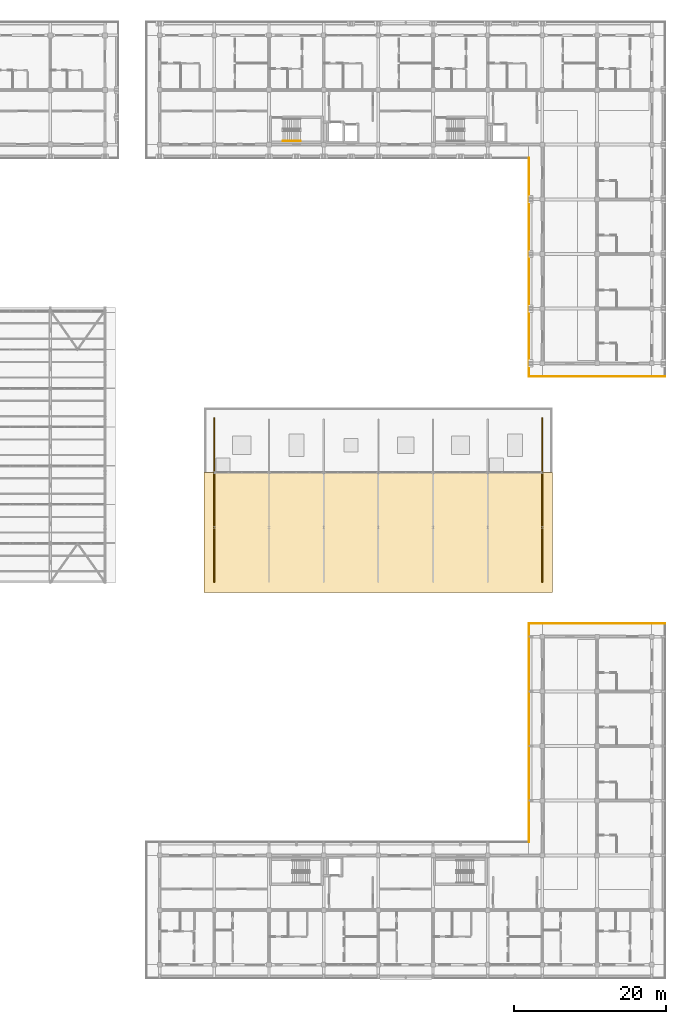
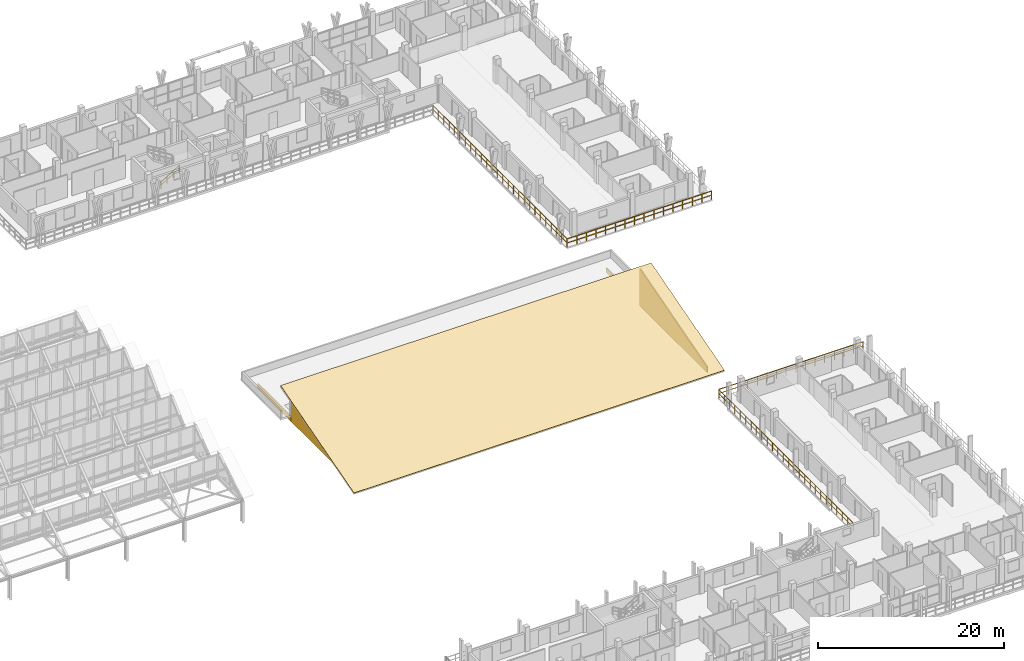
# One storey, part 154 of 157: 5 coverings, 5 railings.
"""IFC4 building model written with IfcOpenShell, lengths in metres."""

from ifc_helpers import new_model, si_unit, direction, frame, frame_2d, origin, origin_2d, place, context, subcontext, project, spatial, polyline, rectangle, outline, extrude, material, layer, layer_set, type_object, element, save


model = new_model("IFC4")

# Units and contexts
model_context = context("Model", 3, precision=1e-05, world=origin(), true_north=direction((0.0, 1.0)))
body_context = subcontext(model_context, "Body", "Model", "MODEL_VIEW")
ifc_project = project(units=[si_unit("LENGTHUNIT", "METRE"), si_unit("AREAUNIT", "SQUARE_METRE"), si_unit("VOLUMEUNIT", "CUBIC_METRE"), si_unit("PLANEANGLEUNIT", "RADIAN"), si_unit("MASSUNIT", "GRAM", prefix="KILO")], contexts=[model_context])

# Site, building, storey
site_placement = place(None, origin())
site = spatial("IfcSite", under=ifc_project, at=site_placement, CompositionType="ELEMENT")
building_placement = place(site_placement, origin())
building = spatial("IfcBuilding", under=site, at=building_placement, Name="Suanplinth Sawtooth Commons", CompositionType="ELEMENT")
storey_placement = place(building_placement, frame((0.0, 0.0, 9.0)))
storey = spatial("IfcBuildingStorey", under=building, at=storey_placement, Name="L02", CompositionType="ELEMENT", Elevation=9.0)

# Coverings
ifc_material_1 = material(Name="Insulated zinc-aluminium architectural wall panel", Category="aluminium")
ifc_layer_1 = layer(ifc_material_1, 0.139892578125, Name="Insulated architectural gable tympanum cladding 140mm")
ifc_layer_set_1 = layer_set([ifc_layer_1], Name="Insulated zinc-aluminium architectural wall panel")
covering_type_1 = type_object("IfcCoveringType", Name="CV-CL02", PredefinedType="CLADDING", material=ifc_layer_set_1)
covering_1_placement = place(storey_placement, frame((129.60009765625, 50.39990234375, -0.60009765625), z_axis=(0.0, 0.0, 1.0), x_axis=(0.0, 1.0, 0.0)))
element("IfcCovering", 1, at=covering_1_placement, inside=storey, type_object=covering_type_1, Name="Nursery W Mono-Pitch Gable Tympanum Cladding", PredefinedType="CLADDING", context=body_context, shape_type="SweptSolid", body=[
    extrude(outline(polyline([(0.0, 0.0), (14.400146484375, 0.0), (14.39990234375, 4.91015625), (0.0, 0.780029296875), (0.0, 0.0)])), frame((0.0, 0.06982421875, 0.0), z_axis=(0.0, -1.0, 0.0), x_axis=(1.0, 0.0, 0.0)), (0.0, 0.0, 1.0), 0.139892578125),
])
covering_2_placement = place(storey_placement, frame((129.60009765625, 64.800048828125, -0.60009765625), z_axis=(0.0, 0.0, 1.0), x_axis=(0.0, 1.0, 0.0)))
element("IfcCovering", 2, at=covering_2_placement, inside=storey, type_object=covering_type_1, Name="Nursery W Skylight Deck Fascia Cladding", PredefinedType="CLADDING", context=body_context, shape_type="SweptSolid", body=[
    extrude(rectangle(XDim=7.199951171875, YDim=0.139892578125, at=frame_2d((3.60009765625, 0.0))), origin(), (0.0, 0.0, 1.0), 0.6201171875),
])
covering_3_placement = place(storey_placement, frame((172.800048828125, 50.39990234375, -0.60009765625), z_axis=(0.0, 0.0, 1.0), x_axis=(0.0, 1.0, 0.0)))
element("IfcCovering", 3, at=covering_3_placement, inside=storey, type_object=covering_type_1, Name="Nursery E Mono-Pitch Gable Tympanum Cladding", PredefinedType="CLADDING", context=body_context, shape_type="SweptSolid", body=[
    extrude(outline(polyline([(0.0, 0.0), (14.400146484375, 0.0), (14.39990234375, 4.91015625), (0.0, 0.780029296875), (0.0, 0.0)])), frame((0.0, 0.06982421875, 0.0), z_axis=(0.0, -1.0, 0.0), x_axis=(1.0, 0.0, 0.0)), (0.0, 0.0, 1.0), 0.139892578125),
])
covering_4_placement = place(storey_placement, frame((172.800048828125, 64.800048828125, -0.60009765625), z_axis=(0.0, 0.0, 1.0), x_axis=(0.0, 1.0, 0.0)))
element("IfcCovering", 4, at=covering_4_placement, inside=storey, type_object=covering_type_1, Name="Nursery E Skylight Deck Fascia Cladding", PredefinedType="CLADDING", context=body_context, shape_type="SweptSolid", body=[
    extrude(rectangle(XDim=7.199951171875, YDim=0.139892578125, at=frame_2d((3.60009765625, 0.0))), origin(), (0.0, 0.0, 1.0), 0.6201171875),
])
ifc_material_2 = material(Name="Standing-seam zinc-aluminium alloy sheet", Category="aluminium")
ifc_layer_2 = layer(ifc_material_2, 0.06494140625, Name="Standing-seam zinc-aluminium roof cladding 65mm")
ifc_layer_set_2 = layer_set([ifc_layer_2], Name="Standing-seam zinc-aluminium alloy sheet")
covering_type_2 = type_object("IfcCoveringType", Name="CV-RF01", PredefinedType="ROOFING", material=ifc_layer_set_2)
covering_5_placement = place(storey_placement, frame((128.25, 49.050048828125, 0.034912109375), z_axis=(0.0, -0.275850493819, 0.961200554026), x_axis=(1.0, 0.0, 0.0)))
element("IfcCovering", 5, at=covering_5_placement, inside=storey, type_object=covering_type_2, Name="Nursery Standing-Seam Roof Cladding", PredefinedType="ROOFING", context=body_context, shape_type="SweptSolid", body=[
    extrude(outline(polyline([(0.0, 0.0), (45.89990234375, 0.0), (45.89990234375, 16.38575834567572), (0.0, 16.38575834567572), (0.0, 0.0)])), origin(), (0.0, 0.0, -1.0), 0.06494140625),
])

# Railings
ifc_material_3 = material(Name="Powder-coated galvanized steel", Category="steel")
railing_type_1 = type_object("IfcRailingType", Name="GR-01", PredefinedType="BALUSTRADE", material=ifc_material_3)
railing_1_placement = place(storey_placement, frame((171.06005859375, 77.4599609375, 0.0)))
element("IfcRailing", 6, at=railing_1_placement, inside=storey, type_object=railing_type_1, Name="L02 Block B Perimeter Balustrade 1", PredefinedType="BALUSTRADE", context=body_context, shape_type="SweptSolid", body=[
    extrude(rectangle(XDim=0.048095703125, YDim=0.048095703125, at=origin_2d()), frame((0.0, 0.0, 1.09619140625), z_axis=(0.0, 1.0, 0.0), x_axis=(-1.0, 0.0, 0.0)), (0.0, 0.0, 1.0), 28.800048828125),
    extrude(rectangle(XDim=0.03369140625, YDim=0.03369140625, at=origin_2d()), frame((0.0, 0.0, 0.56005859375), z_axis=(0.0, 1.0, 0.0), x_axis=(-1.0, 0.0, 0.0)), (0.0, 0.0, 1.0), 28.800048828125),
    extrude(rectangle(XDim=0.0419921875, YDim=0.0419921875, at=origin_2d()), origin(), (0.0, 0.0, 1.0), 1.072021484375),
    extrude(rectangle(XDim=0.0419921875, YDim=0.0419921875, at=origin_2d()), frame((0.0, 1.152099609375, 0.0)), (0.0, 0.0, 1.0), 1.072021484375),
    extrude(rectangle(XDim=0.0419921875, YDim=0.0419921875, at=origin_2d()), frame((0.0, 2.303955078125, 0.0)), (0.0, 0.0, 1.0), 1.072021484375),
    extrude(rectangle(XDim=0.0419921875, YDim=0.0419921875, at=origin_2d()), frame((0.0, 3.4560546875, 0.0)), (0.0, 0.0, 1.0), 1.072021484375),
    extrude(rectangle(XDim=0.0419921875, YDim=0.0419921875, at=origin_2d()), frame((0.0, 4.60791015625, 0.0)), (0.0, 0.0, 1.0), 1.072021484375),
    extrude(rectangle(XDim=0.0419921875, YDim=0.0419921875, at=origin_2d()), frame((0.0, 5.760009765625, 0.0)), (0.0, 0.0, 1.0), 1.072021484375),
    extrude(rectangle(XDim=0.0419921875, YDim=0.0419921875, at=origin_2d()), frame((0.0, 6.912109375, 0.0)), (0.0, 0.0, 1.0), 1.072021484375),
    extrude(rectangle(XDim=0.0419921875, YDim=0.0419921875, at=origin_2d()), frame((0.0, 8.06396484375, 0.0)), (0.0, 0.0, 1.0), 1.072021484375),
    extrude(rectangle(XDim=0.0419921875, YDim=0.0419921875, at=origin_2d()), frame((0.0, 9.216064453125, 0.0)), (0.0, 0.0, 1.0), 1.072021484375),
    extrude(rectangle(XDim=0.0419921875, YDim=0.0419921875, at=origin_2d()), frame((0.0, 10.367919921875, 0.0)), (0.0, 0.0, 1.0), 1.072021484375),
    extrude(rectangle(XDim=0.0419921875, YDim=0.0419921875, at=origin_2d()), frame((0.0, 11.52001953125, 0.0)), (0.0, 0.0, 1.0), 1.072021484375),
    extrude(rectangle(XDim=0.0419921875, YDim=0.0419921875, at=origin_2d()), frame((0.0, 12.672119140625, 0.0)), (0.0, 0.0, 1.0), 1.072021484375),
    extrude(rectangle(XDim=0.0419921875, YDim=0.0419921875, at=origin_2d()), frame((0.0, 13.823974609375, 0.0)), (0.0, 0.0, 1.0), 1.072021484375),
    extrude(rectangle(XDim=0.0419921875, YDim=0.0419921875, at=origin_2d()), frame((0.0, 14.97607421875, 0.0)), (0.0, 0.0, 1.0), 1.072021484375),
    extrude(rectangle(XDim=0.0419921875, YDim=0.0419921875, at=origin_2d()), frame((0.0, 16.1279296875, 0.0)), (0.0, 0.0, 1.0), 1.072021484375),
    extrude(rectangle(XDim=0.0419921875, YDim=0.0419921875, at=origin_2d()), frame((0.0, 17.280029296875, 0.0)), (0.0, 0.0, 1.0), 1.072021484375),
    extrude(rectangle(XDim=0.0419921875, YDim=0.0419921875, at=origin_2d()), frame((0.0, 18.43212890625, 0.0)), (0.0, 0.0, 1.0), 1.072021484375),
    extrude(rectangle(XDim=0.0419921875, YDim=0.0419921875, at=origin_2d()), frame((0.0, 19.583984375, 0.0)), (0.0, 0.0, 1.0), 1.072021484375),
    extrude(rectangle(XDim=0.0419921875, YDim=0.0419921875, at=origin_2d()), frame((0.0, 20.736083984375, 0.0)), (0.0, 0.0, 1.0), 1.072021484375),
    extrude(rectangle(XDim=0.0419921875, YDim=0.0419921875, at=origin_2d()), frame((0.0, 21.887939453125, 0.0)), (0.0, 0.0, 1.0), 1.072021484375),
    extrude(rectangle(XDim=0.0419921875, YDim=0.0419921875, at=origin_2d()), frame((0.0, 23.0400390625, 0.0)), (0.0, 0.0, 1.0), 1.072021484375),
    extrude(rectangle(XDim=0.0419921875, YDim=0.0419921875, at=origin_2d()), frame((0.0, 24.192138671875, 0.0)), (0.0, 0.0, 1.0), 1.072021484375),
    extrude(rectangle(XDim=0.0419921875, YDim=0.0419921875, at=origin_2d()), frame((0.0, 25.343994140625, 0.0)), (0.0, 0.0, 1.0), 1.072021484375),
    extrude(rectangle(XDim=0.0419921875, YDim=0.0419921875, at=origin_2d()), frame((0.0, 26.49609375, 0.0)), (0.0, 0.0, 1.0), 1.072021484375),
    extrude(rectangle(XDim=0.0419921875, YDim=0.0419921875, at=origin_2d()), frame((0.0, 27.64794921875, 0.0)), (0.0, 0.0, 1.0), 1.072021484375),
    extrude(rectangle(XDim=0.0419921875, YDim=0.0419921875, at=origin_2d()), frame((0.0, 28.800048828125, 0.0)), (0.0, 0.0, 1.0), 1.072021484375),
])
railing_2_placement = place(storey_placement, frame((188.93994140625, 77.4599609375, 0.0)))
element("IfcRailing", 7, at=railing_2_placement, inside=storey, type_object=railing_type_1, Name="L02 Block B Perimeter Balustrade 6", PredefinedType="BALUSTRADE", context=body_context, shape_type="SweptSolid", body=[
    extrude(rectangle(XDim=0.048095703125, YDim=0.048095703125, at=origin_2d()), frame((0.0, 0.0, 1.09619140625), z_axis=(-1.0, 0.0, 0.0), x_axis=(0.0, -1.0, 0.0)), (0.0, 0.0, 1.0), 17.8798828125),
    extrude(rectangle(XDim=0.03369140625, YDim=0.03369140625, at=origin_2d()), frame((0.0, 0.0, 0.56005859375), z_axis=(-1.0, 0.0, 0.0), x_axis=(0.0, -1.0, 0.0)), (0.0, 0.0, 1.0), 17.8798828125),
    extrude(rectangle(XDim=0.0419921875, YDim=0.0419921875, at=origin_2d()), origin(), (0.0, 0.0, 1.0), 1.072021484375),
    extrude(rectangle(XDim=0.0419921875, YDim=0.0419921875, at=origin_2d()), frame((-1.19189453125, 0.0, 0.0)), (0.0, 0.0, 1.0), 1.072021484375),
    extrude(rectangle(XDim=0.0419921875, YDim=0.0419921875, at=origin_2d()), frame((-2.384033203125, 0.0, 0.0)), (0.0, 0.0, 1.0), 1.072021484375),
    extrude(rectangle(XDim=0.0419921875, YDim=0.0419921875, at=origin_2d()), frame((-3.575927734375, 0.0, 0.0)), (0.0, 0.0, 1.0), 1.072021484375),
    extrude(rectangle(XDim=0.0419921875, YDim=0.0419921875, at=origin_2d()), frame((-4.76806640625, 0.0, 0.0)), (0.0, 0.0, 1.0), 1.072021484375),
    extrude(rectangle(XDim=0.0419921875, YDim=0.0419921875, at=origin_2d()), frame((-5.9599609375, 0.0, 0.0)), (0.0, 0.0, 1.0), 1.072021484375),
    extrude(rectangle(XDim=0.0419921875, YDim=0.0419921875, at=origin_2d()), frame((-7.15185546875, 0.0, 0.0)), (0.0, 0.0, 1.0), 1.072021484375),
    extrude(rectangle(XDim=0.0419921875, YDim=0.0419921875, at=origin_2d()), frame((-8.343994140625, 0.0, 0.0)), (0.0, 0.0, 1.0), 1.072021484375),
    extrude(rectangle(XDim=0.0419921875, YDim=0.0419921875, at=origin_2d()), frame((-9.535888671875, 0.0, 0.0)), (0.0, 0.0, 1.0), 1.072021484375),
    extrude(rectangle(XDim=0.0419921875, YDim=0.0419921875, at=origin_2d()), frame((-10.72802734375, 0.0, 0.0)), (0.0, 0.0, 1.0), 1.072021484375),
    extrude(rectangle(XDim=0.0419921875, YDim=0.0419921875, at=origin_2d()), frame((-11.919921875, 0.0, 0.0)), (0.0, 0.0, 1.0), 1.072021484375),
    extrude(rectangle(XDim=0.0419921875, YDim=0.0419921875, at=origin_2d()), frame((-13.11181640625, 0.0, 0.0)), (0.0, 0.0, 1.0), 1.072021484375),
    extrude(rectangle(XDim=0.0419921875, YDim=0.0419921875, at=origin_2d()), frame((-14.303955078125, 0.0, 0.0)), (0.0, 0.0, 1.0), 1.072021484375),
    extrude(rectangle(XDim=0.0419921875, YDim=0.0419921875, at=origin_2d()), frame((-15.495849609375, 0.0, 0.0)), (0.0, 0.0, 1.0), 1.072021484375),
    extrude(rectangle(XDim=0.0419921875, YDim=0.0419921875, at=origin_2d()), frame((-16.68798828125, 0.0, 0.0)), (0.0, 0.0, 1.0), 1.072021484375),
    extrude(rectangle(XDim=0.0419921875, YDim=0.0419921875, at=origin_2d()), frame((-17.8798828125, 0.0, 0.0)), (0.0, 0.0, 1.0), 1.072021484375),
])
railing_3_placement = place(storey_placement, frame((171.06005859375, 16.139892578125, 0.0)))
element("IfcRailing", 8, at=railing_3_placement, inside=storey, type_object=railing_type_1, Name="L02 Block C Perimeter Balustrade 3", PredefinedType="BALUSTRADE", context=body_context, shape_type="SweptSolid", body=[
    extrude(rectangle(XDim=0.048095703125, YDim=0.048095703125, at=origin_2d()), frame((0.0, 0.0, 1.09619140625), z_axis=(0.0, 1.0, 0.0), x_axis=(-1.0, 0.0, 0.0)), (0.0, 0.0, 1.0), 28.800048828125),
    extrude(rectangle(XDim=0.03369140625, YDim=0.03369140625, at=origin_2d()), frame((0.0, 0.0, 0.56005859375), z_axis=(0.0, 1.0, 0.0), x_axis=(-1.0, 0.0, 0.0)), (0.0, 0.0, 1.0), 28.800048828125),
    extrude(rectangle(XDim=0.0419921875, YDim=0.0419921875, at=origin_2d()), origin(), (0.0, 0.0, 1.0), 1.072021484375),
    extrude(rectangle(XDim=0.0419921875, YDim=0.0419921875, at=origin_2d()), frame((0.0, 1.152099609375, 0.0)), (0.0, 0.0, 1.0), 1.072021484375),
    extrude(rectangle(XDim=0.0419921875, YDim=0.0419921875, at=origin_2d()), frame((0.0, 2.303955078125, 0.0)), (0.0, 0.0, 1.0), 1.072021484375),
    extrude(rectangle(XDim=0.0419921875, YDim=0.0419921875, at=origin_2d()), frame((0.0, 3.4560546875, 0.0)), (0.0, 0.0, 1.0), 1.072021484375),
    extrude(rectangle(XDim=0.0419921875, YDim=0.0419921875, at=origin_2d()), frame((0.0, 4.60791015625, 0.0)), (0.0, 0.0, 1.0), 1.072021484375),
    extrude(rectangle(XDim=0.0419921875, YDim=0.0419921875, at=origin_2d()), frame((0.0, 5.760009765625, 0.0)), (0.0, 0.0, 1.0), 1.072021484375),
    extrude(rectangle(XDim=0.0419921875, YDim=0.0419921875, at=origin_2d()), frame((0.0, 6.912109375, 0.0)), (0.0, 0.0, 1.0), 1.072021484375),
    extrude(rectangle(XDim=0.0419921875, YDim=0.0419921875, at=origin_2d()), frame((0.0, 8.06396484375, 0.0)), (0.0, 0.0, 1.0), 1.072021484375),
    extrude(rectangle(XDim=0.0419921875, YDim=0.0419921875, at=origin_2d()), frame((0.0, 9.216064453125, 0.0)), (0.0, 0.0, 1.0), 1.072021484375),
    extrude(rectangle(XDim=0.0419921875, YDim=0.0419921875, at=origin_2d()), frame((0.0, 10.367919921875, 0.0)), (0.0, 0.0, 1.0), 1.072021484375),
    extrude(rectangle(XDim=0.0419921875, YDim=0.0419921875, at=origin_2d()), frame((0.0, 11.52001953125, 0.0)), (0.0, 0.0, 1.0), 1.072021484375),
    extrude(rectangle(XDim=0.0419921875, YDim=0.0419921875, at=origin_2d()), frame((0.0, 12.672119140625, 0.0)), (0.0, 0.0, 1.0), 1.072021484375),
    extrude(rectangle(XDim=0.0419921875, YDim=0.0419921875, at=origin_2d()), frame((0.0, 13.823974609375, 0.0)), (0.0, 0.0, 1.0), 1.072021484375),
    extrude(rectangle(XDim=0.0419921875, YDim=0.0419921875, at=origin_2d()), frame((0.0, 14.97607421875, 0.0)), (0.0, 0.0, 1.0), 1.072021484375),
    extrude(rectangle(XDim=0.0419921875, YDim=0.0419921875, at=origin_2d()), frame((0.0, 16.1279296875, 0.0)), (0.0, 0.0, 1.0), 1.072021484375),
    extrude(rectangle(XDim=0.0419921875, YDim=0.0419921875, at=origin_2d()), frame((0.0, 17.280029296875, 0.0)), (0.0, 0.0, 1.0), 1.072021484375),
    extrude(rectangle(XDim=0.0419921875, YDim=0.0419921875, at=origin_2d()), frame((0.0, 18.43212890625, 0.0)), (0.0, 0.0, 1.0), 1.072021484375),
    extrude(rectangle(XDim=0.0419921875, YDim=0.0419921875, at=origin_2d()), frame((0.0, 19.583984375, 0.0)), (0.0, 0.0, 1.0), 1.072021484375),
    extrude(rectangle(XDim=0.0419921875, YDim=0.0419921875, at=origin_2d()), frame((0.0, 20.736083984375, 0.0)), (0.0, 0.0, 1.0), 1.072021484375),
    extrude(rectangle(XDim=0.0419921875, YDim=0.0419921875, at=origin_2d()), frame((0.0, 21.887939453125, 0.0)), (0.0, 0.0, 1.0), 1.072021484375),
    extrude(rectangle(XDim=0.0419921875, YDim=0.0419921875, at=origin_2d()), frame((0.0, 23.0400390625, 0.0)), (0.0, 0.0, 1.0), 1.072021484375),
    extrude(rectangle(XDim=0.0419921875, YDim=0.0419921875, at=origin_2d()), frame((0.0, 24.192138671875, 0.0)), (0.0, 0.0, 1.0), 1.072021484375),
    extrude(rectangle(XDim=0.0419921875, YDim=0.0419921875, at=origin_2d()), frame((0.0, 25.343994140625, 0.0)), (0.0, 0.0, 1.0), 1.072021484375),
    extrude(rectangle(XDim=0.0419921875, YDim=0.0419921875, at=origin_2d()), frame((0.0, 26.49609375, 0.0)), (0.0, 0.0, 1.0), 1.072021484375),
    extrude(rectangle(XDim=0.0419921875, YDim=0.0419921875, at=origin_2d()), frame((0.0, 27.64794921875, 0.0)), (0.0, 0.0, 1.0), 1.072021484375),
    extrude(rectangle(XDim=0.0419921875, YDim=0.0419921875, at=origin_2d()), frame((0.0, 28.800048828125, 0.0)), (0.0, 0.0, 1.0), 1.072021484375),
])
railing_4_placement = place(storey_placement, frame((171.06005859375, 44.93994140625, 0.0)))
element("IfcRailing", 9, at=railing_4_placement, inside=storey, type_object=railing_type_1, Name="L02 Block C Perimeter Balustrade 4", PredefinedType="BALUSTRADE", context=body_context, shape_type="SweptSolid", body=[
    extrude(rectangle(XDim=0.048095703125, YDim=0.048095703125, at=origin_2d()), frame((0.0, 0.0, 1.09619140625), z_axis=(1.0, 0.0, 0.0), x_axis=(0.0, 1.0, 0.0)), (0.0, 0.0, 1.0), 17.8798828125),
    extrude(rectangle(XDim=0.03369140625, YDim=0.03369140625, at=origin_2d()), frame((0.0, 0.0, 0.56005859375), z_axis=(1.0, 0.0, 0.0), x_axis=(0.0, 1.0, 0.0)), (0.0, 0.0, 1.0), 17.8798828125),
    extrude(rectangle(XDim=0.0419921875, YDim=0.0419921875, at=origin_2d()), origin(), (0.0, 0.0, 1.0), 1.072021484375),
    extrude(rectangle(XDim=0.0419921875, YDim=0.0419921875, at=origin_2d()), frame((1.19189453125, 0.0, 0.0)), (0.0, 0.0, 1.0), 1.072021484375),
    extrude(rectangle(XDim=0.0419921875, YDim=0.0419921875, at=origin_2d()), frame((2.384033203125, 0.0, 0.0)), (0.0, 0.0, 1.0), 1.072021484375),
    extrude(rectangle(XDim=0.0419921875, YDim=0.0419921875, at=origin_2d()), frame((3.575927734375, 0.0, 0.0)), (0.0, 0.0, 1.0), 1.072021484375),
    extrude(rectangle(XDim=0.0419921875, YDim=0.0419921875, at=origin_2d()), frame((4.76806640625, 0.0, 0.0)), (0.0, 0.0, 1.0), 1.072021484375),
    extrude(rectangle(XDim=0.0419921875, YDim=0.0419921875, at=origin_2d()), frame((5.9599609375, 0.0, 0.0)), (0.0, 0.0, 1.0), 1.072021484375),
    extrude(rectangle(XDim=0.0419921875, YDim=0.0419921875, at=origin_2d()), frame((7.15185546875, 0.0, 0.0)), (0.0, 0.0, 1.0), 1.072021484375),
    extrude(rectangle(XDim=0.0419921875, YDim=0.0419921875, at=origin_2d()), frame((8.343994140625, 0.0, 0.0)), (0.0, 0.0, 1.0), 1.072021484375),
    extrude(rectangle(XDim=0.0419921875, YDim=0.0419921875, at=origin_2d()), frame((9.535888671875, 0.0, 0.0)), (0.0, 0.0, 1.0), 1.072021484375),
    extrude(rectangle(XDim=0.0419921875, YDim=0.0419921875, at=origin_2d()), frame((10.72802734375, 0.0, 0.0)), (0.0, 0.0, 1.0), 1.072021484375),
    extrude(rectangle(XDim=0.0419921875, YDim=0.0419921875, at=origin_2d()), frame((11.919921875, 0.0, 0.0)), (0.0, 0.0, 1.0), 1.072021484375),
    extrude(rectangle(XDim=0.0419921875, YDim=0.0419921875, at=origin_2d()), frame((13.11181640625, 0.0, 0.0)), (0.0, 0.0, 1.0), 1.072021484375),
    extrude(rectangle(XDim=0.0419921875, YDim=0.0419921875, at=origin_2d()), frame((14.303955078125, 0.0, 0.0)), (0.0, 0.0, 1.0), 1.072021484375),
    extrude(rectangle(XDim=0.0419921875, YDim=0.0419921875, at=origin_2d()), frame((15.495849609375, 0.0, 0.0)), (0.0, 0.0, 1.0), 1.072021484375),
    extrude(rectangle(XDim=0.0419921875, YDim=0.0419921875, at=origin_2d()), frame((16.68798828125, 0.0, 0.0)), (0.0, 0.0, 1.0), 1.072021484375),
    extrude(rectangle(XDim=0.0419921875, YDim=0.0419921875, at=origin_2d()), frame((17.8798828125, 0.0, 0.0)), (0.0, 0.0, 1.0), 1.072021484375),
])
ifc_material_4 = material(Name="Stainless steel Grade 304", Category="steel")
railing_type_2 = type_object("IfcRailingType", Name="HR-01", PredefinedType="HANDRAIL", material=ifc_material_4)
railing_5_placement = place(storey_placement, frame((138.64990234375, 108.5, 0.177734375)))
element("IfcRailing", 10, at=railing_5_placement, inside=storey, type_object=railing_type_2, Name="L02 ST-E1 Handrail 1", PredefinedType="HANDRAIL", context=body_context, shape_type="SweptSolid", body=[
    extrude(rectangle(XDim=0.048095703125, YDim=0.048095703125, at=origin_2d()), frame((0.0, 0.0, 0.8759765625), z_axis=(0.848442045328, 0.0, 0.529288291689), x_axis=(0.0, 1.0, 0.0)), (0.0, 0.0, 1.0), 2.687255859375),
    extrude(rectangle(XDim=0.03369140625, YDim=0.03369140625, at=origin_2d()), frame((0.0, 0.0, 0.449951171875), z_axis=(0.848442045328, 0.0, 0.529288291689), x_axis=(0.0, 1.0, 0.0)), (0.0, 0.0, 1.0), 2.687255859375),
    extrude(rectangle(XDim=0.0419921875, YDim=0.0419921875, at=origin_2d()), origin(), (0.0, 0.0, 1.0), 0.851806640625),
    extrude(rectangle(XDim=0.0419921875, YDim=0.0419921875, at=origin_2d()), frame((0.760009765625, 0.0, 0.47412109375)), (0.0, 0.0, 1.0), 0.851806640625),
    extrude(rectangle(XDim=0.0419921875, YDim=0.0419921875, at=origin_2d()), frame((1.52001953125, 0.0, 0.9482421875)), (0.0, 0.0, 1.0), 0.851806640625),
    extrude(rectangle(XDim=0.0419921875, YDim=0.0419921875, at=origin_2d()), frame((2.280029296875, 0.0, 1.42236328125)), (0.0, 0.0, 1.0), 0.851806640625),
])

save(model, "model.ifc")
